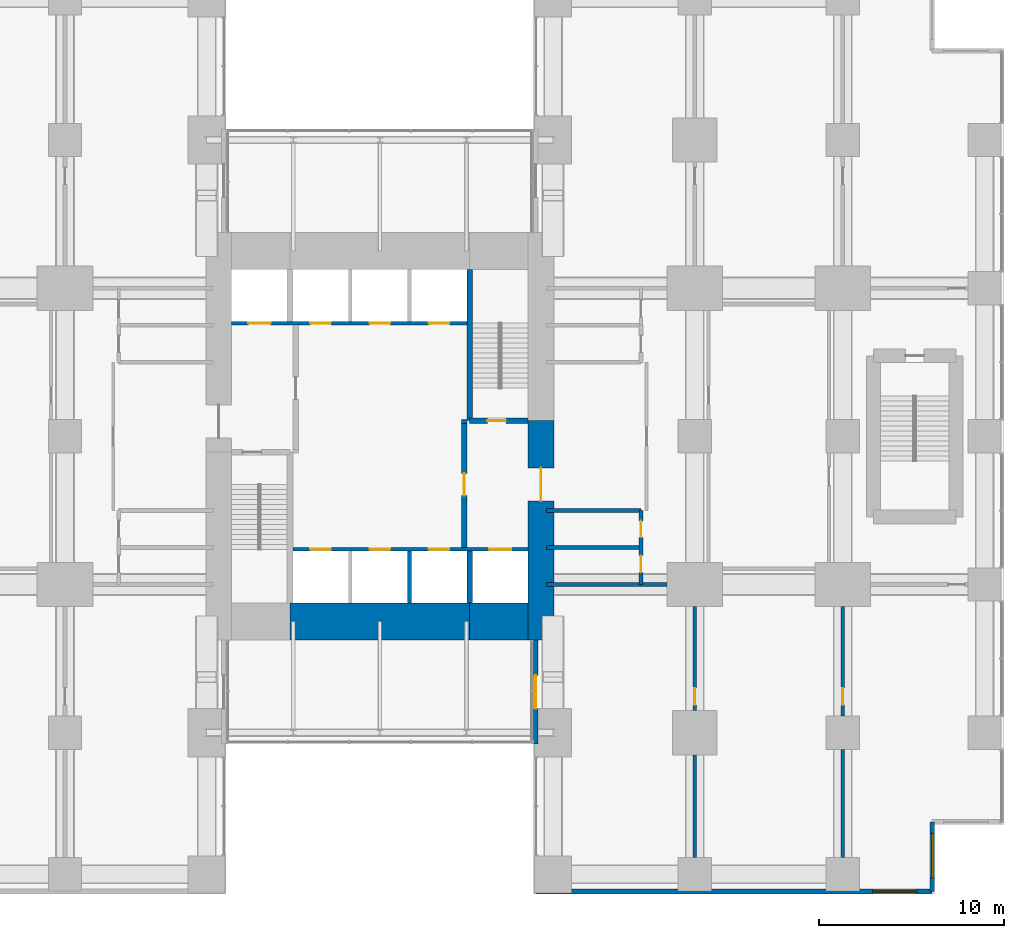
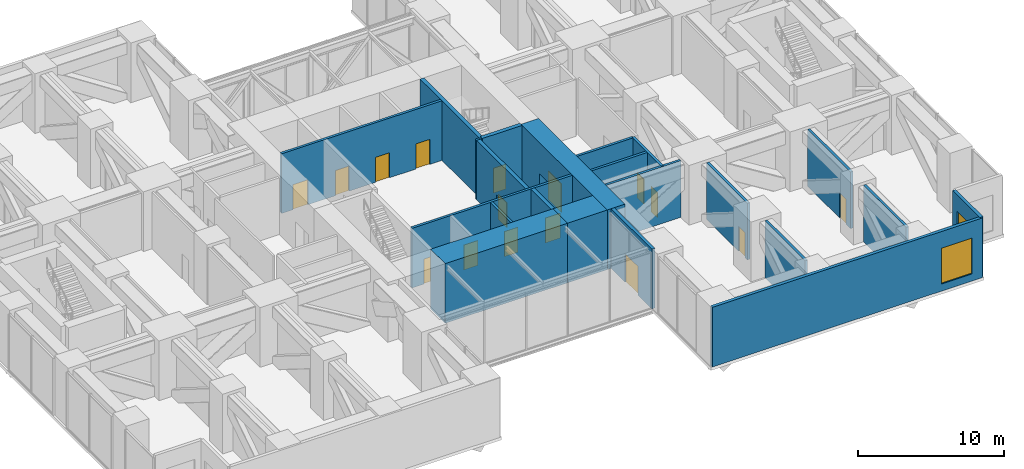
# One storey, part 16 of 19: 22 walls, 16 doors, 2 windows, 18 openings.
"""IFC4 building model written with IfcOpenShell, lengths in metres."""

from ifc_helpers import new_model, si_unit, direction, frame, frame_2d, origin, place, context, subcontext, project, spatial, rectangle, extrude, material, layer, layer_set, type_object, element, fill, save


model = new_model("IFC4")

# Units and contexts
model_context = context("Model", 3, precision=1e-05, world=origin(), true_north=direction((0.0, 1.0)))
body_context = subcontext(model_context, "Body", "Model", "MODEL_VIEW")
ifc_project = project(units=[si_unit("LENGTHUNIT", "METRE"), si_unit("AREAUNIT", "SQUARE_METRE"), si_unit("VOLUMEUNIT", "CUBIC_METRE"), si_unit("PLANEANGLEUNIT", "RADIAN"), si_unit("MASSUNIT", "GRAM", prefix="KILO")], contexts=[model_context])

# Site, building, storey
site_placement = place(None, origin())
site = spatial("IfcSite", under=ifc_project, at=site_placement, CompositionType="ELEMENT")
building_placement = place(site_placement, origin())
building = spatial("IfcBuilding", under=site, at=building_placement, Name="Cleftline Residences", CompositionType="ELEMENT")
storey_placement = place(building_placement, frame((0.0, 0.0, 177.199951171875)))
storey = spatial("IfcBuildingStorey", under=building, at=storey_placement, Name="L46", CompositionType="ELEMENT", Elevation=177.199951171875)

# Wall, opening, door
ifc_material_1 = material(Name="Concrete B70", Category="concrete")
ifc_layer_1 = layer(ifc_material_1, 1.39990234375)
ifc_layer_set_1 = layer_set([ifc_layer_1], Name="CORE WALL 1400")
wall_type_1 = type_object("IfcWallType", Name="CORE WALL 1400", PredefinedType="SHEAR", material=ifc_layer_set_1)
wall_1_placement = place(storey_placement, frame((41.699951171875, 13.0, 0.0), z_axis=(0.0, 0.0, 1.0), x_axis=(0.0, 1.0, 0.0)))
wall_1 = element("IfcWall", 1, at=wall_1_placement, inside=storey, type_object=wall_type_1, Name="Core wall E", PredefinedType="SHEAR", context=body_context, shape_type="SweptSolid", body=[
    extrude(rectangle(XDim=11.85009765625, YDim=1.39990234375, at=frame_2d((5.925048828125, 0.0))), origin(), (0.0, 0.0, 1.0), 5.0),
])
opening_1_placement = place(wall_1_placement, frame((7.5, 0.0, 0.0)))
opening_1 = element("IfcOpeningElement", 2, at=opening_1_placement, cuts=wall_1, Name="Opening D7", PredefinedType="OPENING", context=body_context, shape_type="SweptSolid", body=[
    extrude(rectangle(XDim=1.800048828125, YDim=2.39990234375, at=frame_2d((0.89990234375, 1.199951171875))), frame((0.0, 0.7099609375, 0.0), z_axis=(0.0, -1.0, 0.0), x_axis=(1.0, 0.0, 0.0)), (0.0, 0.0, 1.0), 1.419921875),
])
ifc_material_2 = material(Name="Steel", Category="steel")
door_type_1 = type_object("IfcDoorType", Name="WING DOOR 1800X2400", OperationType="DOUBLE_DOOR_DOUBLE_SWING", PredefinedType="DOOR", material=ifc_material_2)
door_1_placement = place(opening_1_placement, origin())
door_1 = element("IfcDoor", 3, at=door_1_placement, inside=storey, type_object=door_type_1, Name="East wing door", OperationType="DOUBLE_DOOR_DOUBLE_SWING", OverallHeight=2.39990234375, OverallWidth=1.800048828125, PredefinedType="DOOR", context=body_context, shape_type="SweptSolid", body=[
    extrude(rectangle(XDim=1.800048828125, YDim=2.39990234375, at=frame_2d((0.89990234375, 1.199951171875))), frame((0.0, 0.02490234375, 0.0), z_axis=(0.0, -1.0, 0.0), x_axis=(1.0, 0.0, 0.0)), (0.0, 0.0, 1.0), 0.050048828125),
])
fill(opening_1, door_1)

# Walls
ifc_material_3 = material(Name="Concrete B70", Category="concrete")
ifc_layer_2 = layer(ifc_material_3, 2.0)
ifc_layer_set_2 = layer_set([ifc_layer_2], Name="CORE WALL 2000")
wall_type_2 = type_object("IfcWallType", Name="CORE WALL 2000", PredefinedType="SHEAR", material=ifc_layer_set_2)
wall_2_placement = place(storey_placement, frame((28.14990234375, 14.0, 0.0), z_axis=(0.0, 0.0, 1.0), x_axis=(1.0, 0.0, 0.0)))
element("IfcWall", 4, at=wall_2_placement, inside=storey, type_object=wall_type_2, Name="Core wall S2", PredefinedType="SHEAR", context=body_context, shape_type="SweptSolid", body=[
    extrude(rectangle(XDim=9.7001953125, YDim=2.0, at=frame_2d((4.85009765625, 0.0))), origin(), (0.0, 0.0, 1.0), 5.0),
])
wall_3_placement = place(storey_placement, frame((37.85009765625, 14.0, 0.0), z_axis=(0.0, 0.0, 1.0), x_axis=(1.0, 0.0, 0.0)))
element("IfcWall", 5, at=wall_3_placement, inside=storey, type_object=wall_type_2, Name="Core wall S3", PredefinedType="SHEAR", context=body_context, shape_type="SweptSolid", body=[
    extrude(rectangle(XDim=3.14990234375, YDim=2.0, at=frame_2d((1.574951171875, 0.0))), origin(), (0.0, 0.0, 1.0), 5.0),
])
ifc_material_4 = material(Name="Concrete B70", Category="concrete")
ifc_layer_3 = layer(ifc_material_4, 0.300048828125)
ifc_layer_set_3 = layer_set([ifc_layer_3], Name="CORE WALL 300")
wall_type_3 = type_object("IfcWallType", Name="CORE WALL 300", PredefinedType="SHEAR", material=ifc_layer_set_3)
wall_4_placement = place(storey_placement, frame((37.85009765625, 24.85009765625, 0.0), z_axis=(0.0, 0.0, 1.0), x_axis=(0.0, 1.0, 0.0)))
element("IfcWall", 6, at=wall_4_placement, inside=storey, type_object=wall_type_3, Name="Core wall SB-W", PredefinedType="SHEAR", context=body_context, shape_type="SweptSolid", body=[
    extrude(rectangle(XDim=8.14990234375, YDim=0.300048828125, at=frame_2d((4.074951171875, 0.0))), origin(), (0.0, 0.0, 1.0), 5.0),
])

# Wall, opening, door
wall_5_placement = place(storey_placement, frame((37.85009765625, 24.85009765625, 0.0), z_axis=(0.0, 0.0, 1.0), x_axis=(1.0, 0.0, 0.0)))
wall_5 = element("IfcWall", 7, at=wall_5_placement, inside=storey, type_object=wall_type_3, Name="Core wall SB-S", PredefinedType="SHEAR", context=body_context, shape_type="SweptSolid", body=[
    extrude(rectangle(XDim=3.14990234375, YDim=0.300048828125, at=frame_2d((1.574951171875, 0.0))), origin(), (0.0, 0.0, 1.0), 5.0),
])
opening_2_placement = place(wall_5_placement, frame((0.949951171875, 0.0, 0.0)))
opening_2 = element("IfcOpeningElement", 8, at=opening_2_placement, cuts=wall_5, Name="Opening D5", PredefinedType="OPENING", context=body_context, shape_type="SweptSolid", body=[
    extrude(rectangle(XDim=1.0, YDim=2.10009765625, at=frame_2d((0.5, 1.050048828125))), frame((0.0, 0.159912109375, 0.0), z_axis=(0.0, -1.0, 0.0), x_axis=(1.0, 0.0, 0.0)), (0.0, 0.0, 1.0), 0.320068359375),
])
ifc_material_5 = material(Name="Steel", Category="steel")
door_type_2 = type_object("IfcDoorType", Name="STAIR DOOR 1000X2100", OperationType="SINGLE_SWING_LEFT", PredefinedType="DOOR", material=ifc_material_5)
door_2_placement = place(opening_2_placement, origin())
door_2 = element("IfcDoor", 9, at=door_2_placement, inside=storey, type_object=door_type_2, Name="Stair B door", OperationType="SINGLE_SWING_RIGHT", OverallHeight=2.10009765625, OverallWidth=1.0, PredefinedType="DOOR", context=body_context, shape_type="SweptSolid", body=[
    extrude(rectangle(XDim=1.0, YDim=2.10009765625, at=frame_2d((0.5, 1.050048828125))), frame((0.0, 0.02490234375, 0.0), z_axis=(0.0, -1.0, 0.0), x_axis=(1.0, 0.0, 0.0)), (0.0, 0.0, 1.0), 0.050048828125),
])
fill(opening_2, door_2)

# Wall
wall_6_placement = place(storey_placement, frame((37.85009765625, 15.0, 0.0), z_axis=(0.0, 0.0, 1.0), x_axis=(0.0, 1.0, 0.0)))
element("IfcWall", 10, at=wall_6_placement, inside=storey, type_object=wall_type_3, Name="Lift shaft wall", PredefinedType="SHEAR", context=body_context, shape_type="SweptSolid", body=[
    extrude(rectangle(XDim=2.800048828125, YDim=0.300048828125, at=frame_2d((1.39990234375, 0.0))), origin(), (0.0, 0.0, 1.0), 5.0),
])

# Wall, opening, door
ifc_material_6 = material(Name="Rendered reinforced concrete blockwork", Category="masonry")
ifc_layer_4 = layer(ifc_material_6, 0.25)
ifc_layer_set_4 = layer_set([ifc_layer_4], Name="EXTERNAL WALL 250")
wall_type_4 = type_object("IfcWallType", Name="EXTERNAL WALL 250", PredefinedType="SOLIDWALL", material=ifc_layer_set_4)
wall_7_placement = place(storey_placement, frame((41.425048828125, 13.0, 0.0), z_axis=(0.0, 0.0, 1.0), x_axis=(0.0, -1.0, 0.0)))
wall_7 = element("IfcWall", 11, at=wall_7_placement, inside=storey, type_object=wall_type_4, Name="External wall", PredefinedType="SOLIDWALL", context=body_context, shape_type="SweptSolid", body=[
    extrude(rectangle(XDim=5.60009765625, YDim=0.25, at=frame_2d((2.800048828125, 0.0))), origin(), (0.0, 0.0, 1.0), 5.0),
])
opening_3_placement = place(wall_7_placement, frame((1.89990234375, 0.0, 0.0)))
opening_3 = element("IfcOpeningElement", 12, at=opening_3_placement, cuts=wall_7, Name="Opening DB1", PredefinedType="OPENING", context=body_context, shape_type="SweptSolid", body=[
    extrude(rectangle(XDim=1.800048828125, YDim=2.39990234375, at=frame_2d((0.89990234375, 1.199951171875))), frame((0.0, 0.135009765625, 0.0), z_axis=(0.0, -1.0, 0.0), x_axis=(1.0, 0.0, 0.0)), (0.0, 0.0, 1.0), 0.27001953125),
])
ifc_material_7 = material(Name="Steel and glass, fire rated", Category="steel")
door_type_3 = type_object("IfcDoorType", Name="BRIDGE DOOR 1800X2400", OperationType="DOUBLE_DOOR_DOUBLE_SWING", PredefinedType="DOOR", material=ifc_material_7)
door_3_placement = place(opening_3_placement, origin())
door_3 = element("IfcDoor", 13, at=door_3_placement, inside=storey, type_object=door_type_3, Name="Sky bridge door", OperationType="DOUBLE_DOOR_DOUBLE_SWING", OverallHeight=2.39990234375, OverallWidth=1.800048828125, PredefinedType="DOOR", context=body_context, shape_type="SweptSolid", body=[
    extrude(rectangle(XDim=1.800048828125, YDim=2.39990234375, at=frame_2d((0.89990234375, 1.199951171875))), frame((0.0, 0.02490234375, 0.0), z_axis=(0.0, -1.0, 0.0), x_axis=(1.0, 0.0, 0.0)), (0.0, 0.0, 1.0), 0.050048828125),
])
fill(opening_3, door_3)

# Wall, opening, window
wall_8_placement = place(storey_placement, frame((41.425048828125, -0.574951171875, 0.0), z_axis=(0.0, 0.0, 1.0), x_axis=(1.0, 0.0, 0.0)))
wall_8 = element("IfcWall", 14, at=wall_8_placement, inside=storey, type_object=wall_type_4, Name="External wall", PredefinedType="SOLIDWALL", context=body_context, shape_type="SweptSolid", body=[
    extrude(rectangle(XDim=21.39990234375, YDim=0.25, at=frame_2d((10.699951171875, 0.0))), origin(), (0.0, 0.0, 1.0), 5.0),
])
opening_4_placement = place(wall_8_placement, frame((18.175048828125, 0.0, 0.60009765625)))
opening_4 = element("IfcOpeningElement", 15, at=opening_4_placement, cuts=wall_8, Name="Opening W3", PredefinedType="OPENING", context=body_context, shape_type="SweptSolid", body=[
    extrude(rectangle(XDim=2.39990234375, YDim=3.0, at=frame_2d((1.199951171875, 1.5))), frame((0.0, 0.135009765625, 0.0), z_axis=(0.0, -1.0, 0.0), x_axis=(1.0, 0.0, 0.0)), (0.0, 0.0, 1.0), 0.27001953125),
])
ifc_material_8 = material(Name="Aluminium frame, clear double glazing", Category="aluminium")
window_type = type_object("IfcWindowType", Name="WINDOW 2400X3000", PartitioningType="DOUBLE_PANEL_VERTICAL", PredefinedType="WINDOW", material=ifc_material_8)
window_1_placement = place(opening_4_placement, origin())
window_1 = element("IfcWindow", 16, at=window_1_placement, inside=storey, type_object=window_type, Name="Window", OverallHeight=3.0, OverallWidth=2.39990234375, PartitioningType="SINGLE_PANEL", PredefinedType="WINDOW", context=body_context, shape_type="SweptSolid", body=[
    extrude(rectangle(XDim=2.39990234375, YDim=3.0, at=frame_2d((1.199951171875, 1.5))), frame((0.0, 0.030029296875, 0.0), z_axis=(0.0, -1.0, 0.0), x_axis=(1.0, 0.0, 0.0)), (0.0, 0.0, 1.0), 0.06005859375),
])
fill(opening_4, window_1)

wall_9_placement = place(storey_placement, frame((62.824951171875, -0.574951171875, 0.0), z_axis=(0.0, 0.0, 1.0), x_axis=(0.0, 1.0, 0.0)))
wall_9 = element("IfcWall", 17, at=wall_9_placement, inside=storey, type_object=wall_type_4, Name="External wall", PredefinedType="SOLIDWALL", context=body_context, shape_type="SweptSolid", body=[
    extrude(rectangle(XDim=3.75, YDim=0.25, at=frame_2d((1.875, 0.0))), origin(), (0.0, 0.0, 1.0), 5.0),
])
opening_5_placement = place(wall_9_placement, frame((0.737548828125, 0.0, 0.60009765625)))
opening_5 = element("IfcOpeningElement", 18, at=opening_5_placement, cuts=wall_9, Name="Opening W3", PredefinedType="OPENING", context=body_context, shape_type="SweptSolid", body=[
    extrude(rectangle(XDim=2.39990234375, YDim=3.0, at=frame_2d((1.199951171875, 1.5))), frame((0.0, 0.135009765625, 0.0), z_axis=(0.0, -1.0, 0.0), x_axis=(1.0, 0.0, 0.0)), (0.0, 0.0, 1.0), 0.27001953125),
])
window_2_placement = place(opening_5_placement, origin())
window_2 = element("IfcWindow", 19, at=window_2_placement, inside=storey, type_object=window_type, Name="Window", OverallHeight=3.0, OverallWidth=2.39990234375, PartitioningType="SINGLE_PANEL", PredefinedType="WINDOW", context=body_context, shape_type="SweptSolid", body=[
    extrude(rectangle(XDim=2.39990234375, YDim=3.0, at=frame_2d((1.199951171875, 1.5))), frame((0.0, 0.030029296875, 0.0), z_axis=(0.0, -1.0, 0.0), x_axis=(1.0, 0.0, 0.0)), (0.0, 0.0, 1.0), 0.06005859375),
])
fill(opening_5, window_2)

# Walls
ifc_material_9 = material(Name="Concrete blockwork, fire rated", Category="masonry")
ifc_layer_5 = layer(ifc_material_9, 0.199951171875)
ifc_layer_set_5 = layer_set([ifc_layer_5], Name="FIRE WALL 200")
wall_type_5 = type_object("IfcWallType", Name="FIRE WALL 200", PredefinedType="PARTITIONING", material=ifc_layer_set_5)
wall_10_placement = place(storey_placement, frame((42.0, 16.0, 0.0), z_axis=(0.0, 0.0, 1.0), x_axis=(1.0, 0.0, 0.0)))
element("IfcWall", 20, at=wall_10_placement, inside=storey, type_object=wall_type_5, Name="Fire separating wall", PredefinedType="PARTITIONING", context=body_context, shape_type="SweptSolid", body=[
    extrude(rectangle(XDim=6.5, YDim=0.199951171875, at=frame_2d((3.25, 0.0))), origin(), (0.0, 0.0, 1.0), 4.75),
])
for number, where, z_axis, x_axis, name in (
    (21, (42.0, 18.0, 0.0), (0.0, 0.0, 1.0), (1.0, 0.0, 0.0), "Fire separating wall"),
    (22, (42.0, 20.0, 0.0), (0.0, 0.0, 1.0), (1.0, 0.0, 0.0), "Fire separating wall"),
):
    element("IfcWall", number, at=place(storey_placement, frame(where, z_axis=z_axis, x_axis=x_axis)), inside=storey, type_object=wall_type_5, Name=name, PredefinedType="PARTITIONING", context=body_context, shape_type="SweptSolid", body=[
        extrude(rectangle(XDim=5.10009765625, YDim=0.199951171875, at=frame_2d((2.550048828125, 0.0))), origin(), (0.0, 0.0, 1.0), 4.75),
    ])

# Wall, openings, doors
wall_11_placement = place(storey_placement, frame((47.10009765625, 16.0, 0.0), z_axis=(0.0, 0.0, 1.0), x_axis=(0.0, 1.0, 0.0)))
wall_11 = element("IfcWall", 23, at=wall_11_placement, inside=storey, type_object=wall_type_5, Name="Fire separating wall", PredefinedType="PARTITIONING", context=body_context, shape_type="SweptSolid", body=[
    extrude(rectangle(XDim=4.0, YDim=0.199951171875, at=frame_2d((2.0, 0.0))), origin(), (0.0, 0.0, 1.0), 4.75),
])
opening_6_placement = place(wall_11_placement, frame((0.659912109375, 0.0, 0.0)))
opening_6 = element("IfcOpeningElement", 24, at=opening_6_placement, cuts=wall_11, Name="Opening D1F30", PredefinedType="OPENING", context=body_context, shape_type="SweptSolid", body=[
    extrude(rectangle(XDim=0.89990234375, YDim=2.10009765625, at=frame_2d((0.449951171875, 1.050048828125))), frame((0.0, 0.10986328125, 0.0), z_axis=(0.0, -1.0, 0.0), x_axis=(1.0, 0.0, 0.0)), (0.0, 0.0, 1.0), 0.219970703125),
])
opening_7_placement = place(wall_11_placement, frame((2.5400390625, 0.0, 0.0)))
opening_7 = element("IfcOpeningElement", 25, at=opening_7_placement, cuts=wall_11, Name="Opening D1F30", PredefinedType="OPENING", context=body_context, shape_type="SweptSolid", body=[
    extrude(rectangle(XDim=0.89990234375, YDim=2.10009765625, at=frame_2d((0.449951171875, 1.050048828125))), frame((0.0, 0.10986328125, 0.0), z_axis=(0.0, -1.0, 0.0), x_axis=(1.0, 0.0, 0.0)), (0.0, 0.0, 1.0), 0.219970703125),
])
ifc_material_10 = material(Name="Timber veneer on solid core", Category="wood")
door_type_4 = type_object("IfcDoorType", Name="DOOR 900X2100 EI 30", OperationType="SINGLE_SWING_LEFT", PredefinedType="DOOR", material=ifc_material_10)
door_4_placement = place(opening_6_placement, origin())
door_4 = element("IfcDoor", 26, at=door_4_placement, inside=storey, type_object=door_type_4, Name="Door to male wc", OperationType="SINGLE_SWING_RIGHT", OverallHeight=2.10009765625, OverallWidth=0.89990234375, PredefinedType="DOOR", context=body_context, shape_type="SweptSolid", body=[
    extrude(rectangle(XDim=0.89990234375, YDim=2.10009765625, at=frame_2d((0.449951171875, 1.050048828125))), frame((0.0, 0.02490234375, 0.0), z_axis=(0.0, -1.0, 0.0), x_axis=(1.0, 0.0, 0.0)), (0.0, 0.0, 1.0), 0.050048828125),
])
fill(opening_6, door_4)
door_5_placement = place(opening_7_placement, origin())
door_5 = element("IfcDoor", 27, at=door_5_placement, inside=storey, type_object=door_type_4, Name="Door to female wc", OperationType="SINGLE_SWING_LEFT", OverallHeight=2.10009765625, OverallWidth=0.89990234375, PredefinedType="DOOR", context=body_context, shape_type="SweptSolid", body=[
    extrude(rectangle(XDim=0.89990234375, YDim=2.10009765625, at=frame_2d((0.449951171875, 1.050048828125))), frame((0.0, 0.02490234375, 0.0), z_axis=(0.0, -1.0, 0.0), x_axis=(1.0, 0.0, 0.0)), (0.0, 0.0, 1.0), 0.050048828125),
])
fill(opening_7, door_5)

# Wall
wall_12_placement = place(storey_placement, frame((50.0, 1.25, 0.0), z_axis=(0.0, 0.0, 1.0), x_axis=(0.0, 1.0, 0.0)))
element("IfcWall", 28, at=wall_12_placement, inside=storey, type_object=wall_type_5, Name="Fire separating wall", PredefinedType="PARTITIONING", context=body_context, shape_type="SweptSolid", body=[
    extrude(rectangle(XDim=5.550048828125, YDim=0.199951171875, at=frame_2d((2.77490234375, 0.0))), origin(), (0.0, 0.0, 1.0), 4.75),
])

# Wall, opening, door
wall_13_placement = place(storey_placement, frame((50.0, 9.199951171875, 0.0), z_axis=(0.0, 0.0, 1.0), x_axis=(0.0, 1.0, 0.0)))
wall_13 = element("IfcWall", 29, at=wall_13_placement, inside=storey, type_object=wall_type_5, Name="Fire separating wall", PredefinedType="PARTITIONING", context=body_context, shape_type="SweptSolid", body=[
    extrude(rectangle(XDim=5.60009765625, YDim=0.199951171875, at=frame_2d((2.800048828125, 0.0))), origin(), (0.0, 0.0, 1.0), 4.75),
])
opening_8_placement = place(wall_13_placement, frame((0.300048828125, 0.0, 0.0)))
opening_8 = element("IfcOpeningElement", 30, at=opening_8_placement, cuts=wall_13, Name="Opening D1F60", PredefinedType="OPENING", context=body_context, shape_type="SweptSolid", body=[
    extrude(rectangle(XDim=0.89990234375, YDim=2.10009765625, at=frame_2d((0.449951171875, 1.050048828125))), frame((0.0, 0.10986328125, 0.0), z_axis=(0.0, -1.0, 0.0), x_axis=(1.0, 0.0, 0.0)), (0.0, 0.0, 1.0), 0.219970703125),
])
ifc_material_11 = material(Name="Timber veneer on solid core", Category="wood")
door_type_5 = type_object("IfcDoorType", Name="DOOR 900X2100 EI 60", OperationType="SINGLE_SWING_LEFT", PredefinedType="DOOR", material=ifc_material_11)
door_6_placement = place(opening_8_placement, origin())
door_6 = element("IfcDoor", 31, at=door_6_placement, inside=storey, type_object=door_type_5, Name="Door to electrical switch room", OperationType="SINGLE_SWING_RIGHT", OverallHeight=2.10009765625, OverallWidth=0.89990234375, PredefinedType="DOOR", context=body_context, shape_type="SweptSolid", body=[
    extrude(rectangle(XDim=0.89990234375, YDim=2.10009765625, at=frame_2d((0.449951171875, 1.050048828125))), frame((0.0, 0.02490234375, 0.0), z_axis=(0.0, -1.0, 0.0), x_axis=(1.0, 0.0, 0.0)), (0.0, 0.0, 1.0), 0.050048828125),
])
fill(opening_8, door_6)

# Wall
wall_14_placement = place(storey_placement, frame((58.0, 1.25, 0.0), z_axis=(0.0, 0.0, 1.0), x_axis=(0.0, 1.0, 0.0)))
element("IfcWall", 32, at=wall_14_placement, inside=storey, type_object=wall_type_5, Name="Fire separating wall", PredefinedType="PARTITIONING", context=body_context, shape_type="SweptSolid", body=[
    extrude(rectangle(XDim=5.85009765625, YDim=0.199951171875, at=frame_2d((2.925048828125, 0.0))), origin(), (0.0, 0.0, 1.0), 4.75),
])

# Wall, opening, door
wall_15_placement = place(storey_placement, frame((58.0, 8.89990234375, 0.0), z_axis=(0.0, 0.0, 1.0), x_axis=(0.0, 1.0, 0.0)))
wall_15 = element("IfcWall", 33, at=wall_15_placement, inside=storey, type_object=wall_type_5, Name="Fire separating wall", PredefinedType="PARTITIONING", context=body_context, shape_type="SweptSolid", body=[
    extrude(rectangle(XDim=5.900146484375, YDim=0.199951171875, at=frame_2d((2.9501953125, 0.0))), origin(), (0.0, 0.0, 1.0), 4.75),
])
opening_9_placement = place(wall_15_placement, frame((0.60009765625, 0.0, 0.0)))
opening_9 = element("IfcOpeningElement", 34, at=opening_9_placement, cuts=wall_15, Name="Opening D1F60", PredefinedType="OPENING", context=body_context, shape_type="SweptSolid", body=[
    extrude(rectangle(XDim=0.89990234375, YDim=2.10009765625, at=frame_2d((0.449951171875, 1.050048828125))), frame((0.0, 0.10986328125, 0.0), z_axis=(0.0, -1.0, 0.0), x_axis=(1.0, 0.0, 0.0)), (0.0, 0.0, 1.0), 0.219970703125),
])
door_7_placement = place(opening_9_placement, origin())
door_7 = element("IfcDoor", 35, at=door_7_placement, inside=storey, type_object=door_type_5, Name="Door to smoke extract fan plant room", OperationType="SINGLE_SWING_RIGHT", OverallHeight=2.10009765625, OverallWidth=0.89990234375, PredefinedType="DOOR", context=body_context, shape_type="SweptSolid", body=[
    extrude(rectangle(XDim=0.89990234375, YDim=2.10009765625, at=frame_2d((0.449951171875, 1.050048828125))), frame((0.0, 0.02490234375, 0.0), z_axis=(0.0, -1.0, 0.0), x_axis=(1.0, 0.0, 0.0)), (0.0, 0.0, 1.0), 0.050048828125),
])
fill(opening_9, door_7)

# Wall
wall_16_placement = place(storey_placement, frame((37.39990234375, 24.800048828125, 0.0), z_axis=(0.0, 0.0, 1.0), x_axis=(1.0, 0.0, 0.0)))
element("IfcWall", 36, at=wall_16_placement, inside=storey, type_object=wall_type_5, Name="Fire separating wall", PredefinedType="PARTITIONING", context=body_context, shape_type="SweptSolid", body=[
    extrude(rectangle(XDim=0.300048828125, YDim=0.199951171875, at=frame_2d((0.14990234375, 0.0))), origin(), (0.0, 0.0, 1.0), 5.0),
])

# Wall, openings, doors
ifc_material_12 = material(Name="Concrete blockwork, fire rated", Category="masonry")
ifc_layer_6 = layer(ifc_material_12, 0.199951171875)
ifc_layer_set_6 = layer_set([ifc_layer_6], Name="SHAFT WALL 200")
wall_type_6 = type_object("IfcWallType", Name="SHAFT WALL 200", PredefinedType="PARTITIONING", material=ifc_layer_set_6)
wall_17_placement = place(storey_placement, frame((28.300048828125, 17.89990234375, 0.0), z_axis=(0.0, 0.0, 1.0), x_axis=(1.0, 0.0, 0.0)))
wall_17 = element("IfcWall", 37, at=wall_17_placement, inside=storey, type_object=wall_type_6, Name="Lift shaft wall", PredefinedType="PARTITIONING", context=body_context, shape_type="SweptSolid", body=[
    extrude(rectangle(XDim=12.699951171875, YDim=0.199951171875, at=frame_2d((6.35009765625, 0.0))), origin(), (0.0, 0.0, 1.0), 5.0),
])
opening_10_placement = place(wall_17_placement, frame((0.949951171875, 0.0, 0.0)))
opening_10 = element("IfcOpeningElement", 38, at=opening_10_placement, cuts=wall_17, Name="Opening LD1", PredefinedType="OPENING", context=body_context, shape_type="SweptSolid", body=[
    extrude(rectangle(XDim=1.10009765625, YDim=2.10009765625, at=frame_2d((0.550048828125, 1.050048828125))), frame((0.0, 0.10986328125, 0.0), z_axis=(0.0, -1.0, 0.0), x_axis=(1.0, 0.0, 0.0)), (0.0, 0.0, 1.0), 0.219970703125),
])
opening_11_placement = place(wall_17_placement, frame((4.14990234375, 0.0, 0.0)))
opening_11 = element("IfcOpeningElement", 39, at=opening_11_placement, cuts=wall_17, Name="Opening LD1", PredefinedType="OPENING", context=body_context, shape_type="SweptSolid", body=[
    extrude(rectangle(XDim=1.10009765625, YDim=2.10009765625, at=frame_2d((0.550048828125, 1.050048828125))), frame((0.0, 0.10986328125, 0.0), z_axis=(0.0, -1.0, 0.0), x_axis=(1.0, 0.0, 0.0)), (0.0, 0.0, 1.0), 0.219970703125),
])
opening_12_placement = place(wall_17_placement, frame((7.35009765625, 0.0, 0.0)))
opening_12 = element("IfcOpeningElement", 40, at=opening_12_placement, cuts=wall_17, Name="Opening LD1", PredefinedType="OPENING", context=body_context, shape_type="SweptSolid", body=[
    extrude(rectangle(XDim=1.10009765625, YDim=2.10009765625, at=frame_2d((0.550048828125, 1.050048828125))), frame((0.0, 0.10986328125, 0.0), z_axis=(0.0, -1.0, 0.0), x_axis=(1.0, 0.0, 0.0)), (0.0, 0.0, 1.0), 0.219970703125),
])
opening_13_placement = place(wall_17_placement, frame((10.60009765625, 0.0, 0.0)))
opening_13 = element("IfcOpeningElement", 41, at=opening_13_placement, cuts=wall_17, Name="Opening LD2", PredefinedType="OPENING", context=body_context, shape_type="SweptSolid", body=[
    extrude(rectangle(XDim=1.199951171875, YDim=2.10009765625, at=frame_2d((0.60009765625, 1.050048828125))), frame((0.0, 0.10986328125, 0.0), z_axis=(0.0, -1.0, 0.0), x_axis=(1.0, 0.0, 0.0)), (0.0, 0.0, 1.0), 0.219970703125),
])
ifc_material_13 = material(Name="Steel", Category="steel")
door_type_6 = type_object("IfcDoorType", Name="FIREFIGHTING LIFT LANDING DOOR 1200X2100", OperationType="SLIDING_TO_LEFT", PredefinedType="DOOR", material=ifc_material_13)
door_8_placement = place(opening_13_placement, origin())
door_8 = element("IfcDoor", 42, at=door_8_placement, inside=storey, type_object=door_type_6, Name="Lift FL2 landing door", OperationType="SLIDING_TO_LEFT", OverallHeight=2.10009765625, OverallWidth=1.199951171875, PredefinedType="DOOR", context=body_context, shape_type="SweptSolid", body=[
    extrude(rectangle(XDim=1.199951171875, YDim=2.10009765625, at=frame_2d((0.60009765625, 1.050048828125))), frame((0.0, 0.02490234375, 0.0), z_axis=(0.0, -1.0, 0.0), x_axis=(1.0, 0.0, 0.0)), (0.0, 0.0, 1.0), 0.050048828125),
])
fill(opening_13, door_8)
ifc_material_14 = material(Name="Steel", Category="steel")
door_type_7 = type_object("IfcDoorType", Name="LIFT LANDING DOOR 1100X2100", OperationType="SLIDING_TO_LEFT", PredefinedType="DOOR", material=ifc_material_14)
door_9_placement = place(opening_10_placement, origin())
door_9 = element("IfcDoor", 43, at=door_9_placement, inside=storey, type_object=door_type_7, Name="Lift P1 landing door", OperationType="SLIDING_TO_LEFT", OverallHeight=2.10009765625, OverallWidth=1.10009765625, PredefinedType="DOOR", context=body_context, shape_type="SweptSolid", body=[
    extrude(rectangle(XDim=1.10009765625, YDim=2.10009765625, at=frame_2d((0.550048828125, 1.050048828125))), frame((0.0, 0.02490234375, 0.0), z_axis=(0.0, -1.0, 0.0), x_axis=(1.0, 0.0, 0.0)), (0.0, 0.0, 1.0), 0.050048828125),
])
fill(opening_10, door_9)
door_10_placement = place(opening_11_placement, origin())
door_10 = element("IfcDoor", 44, at=door_10_placement, inside=storey, type_object=door_type_7, Name="Lift P2 landing door", OperationType="SLIDING_TO_LEFT", OverallHeight=2.10009765625, OverallWidth=1.10009765625, PredefinedType="DOOR", context=body_context, shape_type="SweptSolid", body=[
    extrude(rectangle(XDim=1.10009765625, YDim=2.10009765625, at=frame_2d((0.550048828125, 1.050048828125))), frame((0.0, 0.02490234375, 0.0), z_axis=(0.0, -1.0, 0.0), x_axis=(1.0, 0.0, 0.0)), (0.0, 0.0, 1.0), 0.050048828125),
])
fill(opening_11, door_10)
door_11_placement = place(opening_12_placement, origin())
door_11 = element("IfcDoor", 45, at=door_11_placement, inside=storey, type_object=door_type_7, Name="Lift P3 landing door", OperationType="SLIDING_TO_LEFT", OverallHeight=2.10009765625, OverallWidth=1.10009765625, PredefinedType="DOOR", context=body_context, shape_type="SweptSolid", body=[
    extrude(rectangle(XDim=1.10009765625, YDim=2.10009765625, at=frame_2d((0.550048828125, 1.050048828125))), frame((0.0, 0.02490234375, 0.0), z_axis=(0.0, -1.0, 0.0), x_axis=(1.0, 0.0, 0.0)), (0.0, 0.0, 1.0), 0.050048828125),
])
fill(opening_12, door_11)

wall_18_placement = place(storey_placement, frame((25.0, 30.10009765625, 0.0), z_axis=(0.0, 0.0, 1.0), x_axis=(1.0, 0.0, 0.0)))
wall_18 = element("IfcWall", 46, at=wall_18_placement, inside=storey, type_object=wall_type_6, Name="Lift shaft wall", PredefinedType="PARTITIONING", context=body_context, shape_type="SweptSolid", body=[
    extrude(rectangle(XDim=12.699951171875, YDim=0.199951171875, at=frame_2d((6.35009765625, 0.0))), origin(), (0.0, 0.0, 1.0), 5.0),
])
opening_14_placement = place(wall_18_placement, frame((4.25, 0.0, 0.0)))
opening_14 = element("IfcOpeningElement", 47, at=opening_14_placement, cuts=wall_18, Name="Opening LD1", PredefinedType="OPENING", context=body_context, shape_type="SweptSolid", body=[
    extrude(rectangle(XDim=1.10009765625, YDim=2.10009765625, at=frame_2d((0.550048828125, 1.050048828125))), frame((0.0, 0.10986328125, 0.0), z_axis=(0.0, -1.0, 0.0), x_axis=(1.0, 0.0, 0.0)), (0.0, 0.0, 1.0), 0.219970703125),
])
opening_15_placement = place(wall_18_placement, frame((7.449951171875, 0.0, 0.0)))
opening_15 = element("IfcOpeningElement", 48, at=opening_15_placement, cuts=wall_18, Name="Opening LD1", PredefinedType="OPENING", context=body_context, shape_type="SweptSolid", body=[
    extrude(rectangle(XDim=1.10009765625, YDim=2.10009765625, at=frame_2d((0.550048828125, 1.050048828125))), frame((0.0, 0.10986328125, 0.0), z_axis=(0.0, -1.0, 0.0), x_axis=(1.0, 0.0, 0.0)), (0.0, 0.0, 1.0), 0.219970703125),
])
opening_16_placement = place(wall_18_placement, frame((10.64990234375, 0.0, 0.0)))
opening_16 = element("IfcOpeningElement", 49, at=opening_16_placement, cuts=wall_18, Name="Opening LD1", PredefinedType="OPENING", context=body_context, shape_type="SweptSolid", body=[
    extrude(rectangle(XDim=1.10009765625, YDim=2.10009765625, at=frame_2d((0.550048828125, 1.050048828125))), frame((0.0, 0.10986328125, 0.0), z_axis=(0.0, -1.0, 0.0), x_axis=(1.0, 0.0, 0.0)), (0.0, 0.0, 1.0), 0.219970703125),
])
opening_17_placement = place(wall_18_placement, frame((0.89990234375, 0.0, 0.0)))
opening_17 = element("IfcOpeningElement", 50, at=opening_17_placement, cuts=wall_18, Name="Opening LD2", PredefinedType="OPENING", context=body_context, shape_type="SweptSolid", body=[
    extrude(rectangle(XDim=1.199951171875, YDim=2.10009765625, at=frame_2d((0.60009765625, 1.050048828125))), frame((0.0, 0.10986328125, 0.0), z_axis=(0.0, -1.0, 0.0), x_axis=(1.0, 0.0, 0.0)), (0.0, 0.0, 1.0), 0.219970703125),
])
door_12_placement = place(opening_17_placement, origin())
door_12 = element("IfcDoor", 51, at=door_12_placement, inside=storey, type_object=door_type_6, Name="Lift FL1 landing door", OperationType="SLIDING_TO_LEFT", OverallHeight=2.10009765625, OverallWidth=1.199951171875, PredefinedType="DOOR", context=body_context, shape_type="SweptSolid", body=[
    extrude(rectangle(XDim=1.199951171875, YDim=2.10009765625, at=frame_2d((0.60009765625, 1.050048828125))), frame((0.0, 0.02490234375, 0.0), z_axis=(0.0, -1.0, 0.0), x_axis=(1.0, 0.0, 0.0)), (0.0, 0.0, 1.0), 0.050048828125),
])
fill(opening_17, door_12)
door_13_placement = place(opening_14_placement, origin())
door_13 = element("IfcDoor", 52, at=door_13_placement, inside=storey, type_object=door_type_7, Name="Lift P4 landing door", OperationType="SLIDING_TO_LEFT", OverallHeight=2.10009765625, OverallWidth=1.10009765625, PredefinedType="DOOR", context=body_context, shape_type="SweptSolid", body=[
    extrude(rectangle(XDim=1.10009765625, YDim=2.10009765625, at=frame_2d((0.550048828125, 1.050048828125))), frame((0.0, 0.02490234375, 0.0), z_axis=(0.0, -1.0, 0.0), x_axis=(1.0, 0.0, 0.0)), (0.0, 0.0, 1.0), 0.050048828125),
])
fill(opening_14, door_13)
door_14_placement = place(opening_15_placement, origin())
door_14 = element("IfcDoor", 53, at=door_14_placement, inside=storey, type_object=door_type_7, Name="Lift P5 landing door", OperationType="SLIDING_TO_LEFT", OverallHeight=2.10009765625, OverallWidth=1.10009765625, PredefinedType="DOOR", context=body_context, shape_type="SweptSolid", body=[
    extrude(rectangle(XDim=1.10009765625, YDim=2.10009765625, at=frame_2d((0.550048828125, 1.050048828125))), frame((0.0, 0.02490234375, 0.0), z_axis=(0.0, -1.0, 0.0), x_axis=(1.0, 0.0, 0.0)), (0.0, 0.0, 1.0), 0.050048828125),
])
fill(opening_15, door_14)
door_15_placement = place(opening_16_placement, origin())
door_15 = element("IfcDoor", 54, at=door_15_placement, inside=storey, type_object=door_type_7, Name="Lift P6 landing door", OperationType="SLIDING_TO_LEFT", OverallHeight=2.10009765625, OverallWidth=1.10009765625, PredefinedType="DOOR", context=body_context, shape_type="SweptSolid", body=[
    extrude(rectangle(XDim=1.10009765625, YDim=2.10009765625, at=frame_2d((0.550048828125, 1.050048828125))), frame((0.0, 0.02490234375, 0.0), z_axis=(0.0, -1.0, 0.0), x_axis=(1.0, 0.0, 0.0)), (0.0, 0.0, 1.0), 0.050048828125),
])
fill(opening_16, door_15)

# Wall
wall_19_placement = place(storey_placement, frame((34.60009765625, 15.0, 0.0), z_axis=(0.0, 0.0, 1.0), x_axis=(0.0, 1.0, 0.0)))
element("IfcWall", 55, at=wall_19_placement, inside=storey, type_object=wall_type_6, Name="Lift shaft wall", PredefinedType="PARTITIONING", context=body_context, shape_type="SweptSolid", body=[
    extrude(rectangle(XDim=2.800048828125, YDim=0.199951171875, at=frame_2d((1.39990234375, 0.0))), origin(), (0.0, 0.0, 1.0), 5.0),
])

# Wall, opening, door
ifc_material_15 = material(Name="Concrete blockwork, fire rated", Category="masonry")
ifc_layer_7 = layer(ifc_material_15, 0.300048828125)
ifc_layer_set_7 = layer_set([ifc_layer_7], Name="STAIR LOBBY WALL 300")
wall_type_7 = type_object("IfcWallType", Name="STAIR LOBBY WALL 300", PredefinedType="PARTITIONING", material=ifc_layer_set_7)
wall_20_placement = place(storey_placement, frame((37.550048828125, 18.0, 0.0), z_axis=(0.0, 0.0, 1.0), x_axis=(0.0, 1.0, 0.0)))
wall_20 = element("IfcWall", 56, at=wall_20_placement, inside=storey, type_object=wall_type_7, Name="Stair and lobby wall FB-W", PredefinedType="PARTITIONING", context=body_context, shape_type="SweptSolid", body=[
    extrude(rectangle(XDim=6.699951171875, YDim=0.300048828125, at=frame_2d((3.35009765625, 0.0))), origin(), (0.0, 0.0, 1.0), 5.0),
])
opening_18_placement = place(wall_20_placement, frame((2.800048828125, 0.0, 0.0)))
opening_18 = element("IfcOpeningElement", 57, at=opening_18_placement, cuts=wall_20, Name="Opening D6", PredefinedType="OPENING", context=body_context, shape_type="SweptSolid", body=[
    extrude(rectangle(XDim=1.199951171875, YDim=2.10009765625, at=frame_2d((0.60009765625, 1.050048828125))), frame((0.0, 0.159912109375, 0.0), z_axis=(0.0, -1.0, 0.0), x_axis=(1.0, 0.0, 0.0)), (0.0, 0.0, 1.0), 0.320068359375),
])
ifc_material_16 = material(Name="Steel", Category="steel")
door_type_8 = type_object("IfcDoorType", Name="LOBBY DOOR 1200X2100", OperationType="SINGLE_SWING_RIGHT", PredefinedType="DOOR", material=ifc_material_16)
door_16_placement = place(opening_18_placement, origin())
door_16 = element("IfcDoor", 58, at=door_16_placement, inside=storey, type_object=door_type_8, Name="Firefighting lobby B door", OperationType="SINGLE_SWING_LEFT", OverallHeight=2.10009765625, OverallWidth=1.199951171875, PredefinedType="DOOR", context=body_context, shape_type="SweptSolid", body=[
    extrude(rectangle(XDim=1.199951171875, YDim=2.10009765625, at=frame_2d((0.60009765625, 1.050048828125))), frame((0.0, 0.02490234375, 0.0), z_axis=(0.0, -1.0, 0.0), x_axis=(1.0, 0.0, 0.0)), (0.0, 0.0, 1.0), 0.050048828125),
])
fill(opening_18, door_16)

save(model, "model.ifc")
